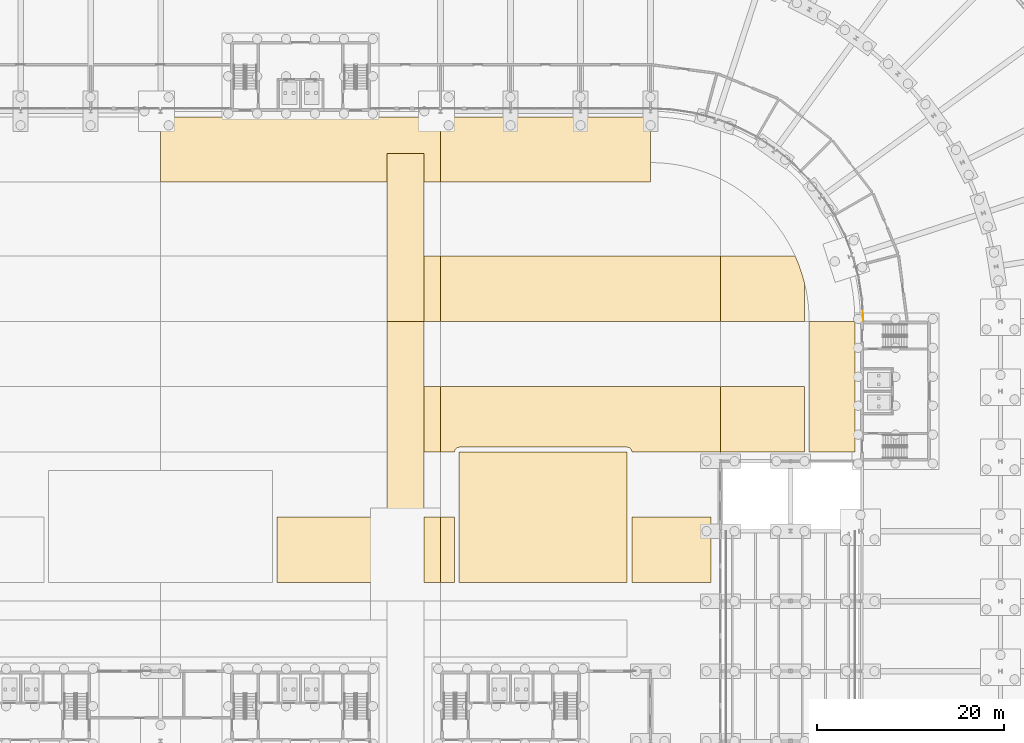
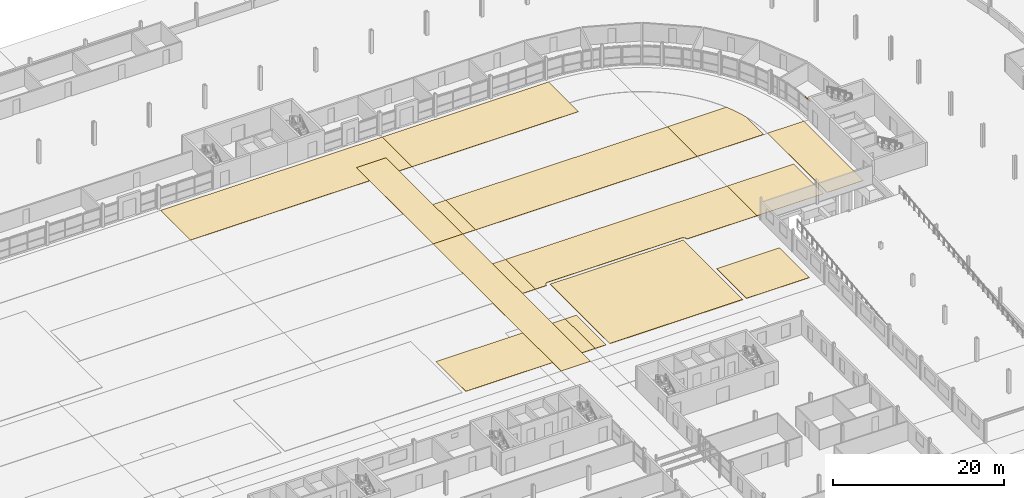
# One storey, part 121 of 130: 17 coverings.
"""IFC4 building model written with IfcOpenShell, lengths in metres."""

from ifc_helpers import new_model, si_unit, direction, frame, origin, origin_2d, place, context, subcontext, project, spatial, polyline, rectangle, outline, extrude, material, layer, layer_set, type_object, element, save


model = new_model("IFC4")

# Units and contexts
model_context = context("Model", 3, precision=1e-05, world=origin(), true_north=direction((0.0, 1.0)))
body_context = subcontext(model_context, "Body", "Model", "MODEL_VIEW")
ifc_project = project(units=[si_unit("LENGTHUNIT", "METRE"), si_unit("AREAUNIT", "SQUARE_METRE"), si_unit("VOLUMEUNIT", "CUBIC_METRE"), si_unit("PLANEANGLEUNIT", "RADIAN"), si_unit("MASSUNIT", "GRAM", prefix="KILO")], contexts=[model_context])

# Site, building, storey
site_placement = place(None, origin())
site = spatial("IfcSite", under=ifc_project, at=site_placement, CompositionType="ELEMENT")
building_placement = place(site_placement, origin())
building = spatial("IfcBuilding", under=site, at=building_placement, Name="Parallax Yard Mobility Hub", CompositionType="ELEMENT")
storey_placement = place(building_placement, origin())
storey = spatial("IfcBuildingStorey", under=building, at=storey_placement, Name="L00", CompositionType="ELEMENT", Elevation=0.0)

# Coverings
ifc_material_1 = material(Name="Insulated aluminium spandrel panel", Category="aluminium")
ifc_layer_1 = layer(ifc_material_1, 0.028076171875)
ifc_layer_set_1 = layer_set([ifc_layer_1], Name="Curtain wall spandrel closer, insulated aluminium 28")
covering_type_1 = type_object("IfcCoveringType", Name="Curtain wall spandrel closer, insulated aluminium 28", PredefinedType="CLADDING", material=ifc_layer_set_1)
covering_1_placement = place(storey_placement, frame((195.269287109375, 90.544677734375, 2.5), z_axis=(0.0, 0.0, 1.0), x_axis=(0.057337508907, -0.99835485178, 0.0)))
element("IfcCovering", 1, at=covering_1_placement, inside=storey, type_object=covering_type_1, Name="Curtain wall CW38 level L00 bay 22.3 spandrel closer 2", ObjectType="SCREEN", PredefinedType="CLADDING", context=body_context, shape_type="SweptSolid", body=[
    extrude(rectangle(XDim=1.04736328125, YDim=0.028076171875, at=origin_2d()), origin(), (0.0, 0.0, 1.0), 0.126953125),
])
ifc_material_2 = material(Name="Concrete fc' 30 MPa", Category="concrete")
ifc_layer_2 = layer(ifc_material_2, 0.0400390625)
ifc_layer_set_2 = layer_set([ifc_layer_2], Name="Footway paving, Concrete fc' 30 MPa pavers 40")
covering_type_2 = type_object("IfcCoveringType", Name="Footway paving, Concrete fc' 30 MPa pavers 40", PredefinedType="USERDEFINED", material=ifc_layer_set_2)
covering_2_placement = place(storey_placement, origin())
element("IfcCovering", 2, at=covering_2_placement, inside=storey, type_object=covering_type_2, Name="Pedestrian spine surfacing 3", ObjectType="PAVING", PredefinedType="USERDEFINED", context=body_context, shape_type="SweptSolid", body=[
    extrude(outline(polyline([(148.25, 60.0), (144.25, 60.0), (144.25, 90.0), (148.25, 90.0), (148.25, 60.0)])), origin(), (0.0, 0.0, 1.0), 0.0400390625),
])
covering_3_placement = place(storey_placement, origin())
element("IfcCovering", 3, at=covering_3_placement, inside=storey, type_object=covering_type_2, Name="Pedestrian spine surfacing 4", ObjectType="PAVING", PredefinedType="USERDEFINED", context=body_context, shape_type="SweptSolid", body=[
    extrude(outline(polyline([(148.25, 108.0), (148.25, 90.0), (144.25, 90.0), (144.25, 108.0), (148.25, 108.0)])), origin(), (0.0, 0.0, 1.0), 0.0400390625),
])
covering_4_placement = place(storey_placement, origin())
element("IfcCovering", 4, at=covering_4_placement, inside=storey, type_object=covering_type_2, Name="Yard footway north surfacing 5", ObjectType="PAVING", PredefinedType="USERDEFINED", context=body_context, shape_type="SweptSolid", body=[
    extrude(outline(polyline([(148.25, 108.0), (144.25, 108.0), (144.25, 104.89990234375), (120.0, 104.89990234375), (120.0, 111.89990234375), (127.5, 111.89990234375), (142.5, 111.89990234375), (149.875, 111.89990234375), (150.0, 111.89990234375), (150.0, 104.89990234375), (148.25, 104.89990234375), (148.25, 108.0)])), origin(), (0.0, 0.0, 1.0), 0.0400390625),
])
covering_5_placement = place(storey_placement, origin())
element("IfcCovering", 5, at=covering_5_placement, inside=storey, type_object=covering_type_2, Name="Yard footway north surfacing 6", ObjectType="PAVING", PredefinedType="USERDEFINED", context=body_context, shape_type="SweptSolid", body=[
    extrude(outline(polyline([(150.125, 111.89990234375), (157.39990234375, 111.89990234375), (157.60009765625, 111.89990234375), (164.89990234375, 111.89990234375), (165.10009765625, 111.89990234375), (172.39990234375, 111.89990234375), (172.490234375, 111.89990234375), (172.5, 111.899658203125), (172.5, 104.89990234375), (150.0, 104.89990234375), (150.0, 111.89990234375), (150.125, 111.89990234375)])), origin(), (0.0, 0.0, 1.0), 0.0400390625),
])
covering_6_placement = place(storey_placement, origin())
element("IfcCovering", 6, at=covering_6_placement, inside=storey, type_object=covering_type_2, Name="Bend footway surfacing 2", ObjectType="PAVING", PredefinedType="USERDEFINED", context=body_context, shape_type="SweptSolid", body=[
    extrude(outline(polyline([(194.39990234375, 89.990234375), (194.39990234375, 76.0), (189.5, 76.0), (189.5, 90.0), (194.399658203125, 90.0), (194.39990234375, 89.990234375)])), origin(), (0.0, 0.0, 1.0), 0.0400390625),
])
covering_7_placement = place(storey_placement, origin())
element("IfcCovering", 7, at=covering_7_placement, inside=storey, type_object=covering_type_2, Name="Yard band 1 surfacing 5", ObjectType="PAVING", PredefinedType="USERDEFINED", context=body_context, shape_type="SweptSolid", body=[
    extrude(outline(polyline([(132.5, 69.0), (144.25, 69.0), (144.25, 62.0), (132.5, 62.0), (132.5, 69.0)])), origin(), (0.0, 0.0, 1.0), 0.0400390625),
])
covering_8_placement = place(storey_placement, origin())
element("IfcCovering", 8, at=covering_8_placement, inside=storey, type_object=covering_type_2, Name="Yard band 1 surfacing 6", ObjectType="PAVING", PredefinedType="USERDEFINED", context=body_context, shape_type="SweptSolid", body=[
    extrude(outline(polyline([(148.25, 62.0), (148.25, 69.0), (150.0, 69.0), (150.0, 62.0), (148.25, 62.0)])), origin(), (0.0, 0.0, 1.0), 0.0400390625),
])
covering_9_placement = place(storey_placement, origin())
element("IfcCovering", 9, at=covering_9_placement, inside=storey, type_object=covering_type_2, Name="Yard band 1 surfacing 7", ObjectType="PAVING", PredefinedType="USERDEFINED", context=body_context, shape_type="SweptSolid", body=[
    extrude(outline(polyline([(150.0, 62.0), (150.0, 69.0), (151.5, 69.0), (151.5, 62.0), (150.0, 62.0)])), origin(), (0.0, 0.0, 1.0), 0.0400390625),
])
covering_10_placement = place(storey_placement, origin())
element("IfcCovering", 10, at=covering_10_placement, inside=storey, type_object=covering_type_2, Name="Yard band 1 surfacing 8", ObjectType="PAVING", PredefinedType="USERDEFINED", context=body_context, shape_type="SweptSolid", body=[
    extrude(outline(polyline([(170.5, 62.0), (170.5, 69.0), (179.0, 69.0), (179.0, 62.0), (170.5, 62.0)])), origin(), (0.0, 0.0, 1.0), 0.0400390625),
])
covering_11_placement = place(storey_placement, origin())
element("IfcCovering", 11, at=covering_11_placement, inside=storey, type_object=covering_type_2, Name="Yard band 2 surfacing 6", ObjectType="PAVING", PredefinedType="USERDEFINED", context=body_context, shape_type="SweptSolid", body=[
    extrude(outline(polyline([(148.25, 76.0), (148.25, 83.0), (150.0, 83.0), (150.0, 76.0), (148.25, 76.0)])), origin(), (0.0, 0.0, 1.0), 0.0400390625),
])
covering_12_placement = place(storey_placement, origin())
element("IfcCovering", 12, at=covering_12_placement, inside=storey, type_object=covering_type_2, Name="Yard band 2 surfacing 7", ObjectType="PAVING", PredefinedType="USERDEFINED", context=body_context, shape_type="SweptSolid", body=[
    extrude(outline(polyline([(170.5, 76.0), (170.49755859375, 76.049072265625), (170.490478515625, 76.097412109375), (170.478515625, 76.14501953125), (170.4619140625, 76.19140625), (170.44091796875, 76.235595703125), (170.415771484375, 76.27783203125), (170.386474609375, 76.317138671875), (170.353515625, 76.353515625), (170.317138671875, 76.386474609375), (170.27783203125, 76.415771484375), (170.235595703125, 76.44091796875), (170.19140625, 76.4619140625), (170.14501953125, 76.478515625), (170.097412109375, 76.490478515625), (170.049072265625, 76.49755859375), (170.0, 76.5), (152.0, 76.5), (151.950927734375, 76.49755859375), (151.902587890625, 76.490478515625), (151.85498046875, 76.478515625), (151.80859375, 76.4619140625), (151.764404296875, 76.44091796875), (151.72216796875, 76.415771484375), (151.682861328125, 76.386474609375), (151.646484375, 76.353515625), (151.613525390625, 76.317138671875), (151.584228515625, 76.27783203125), (151.55908203125, 76.235595703125), (151.5380859375, 76.19140625), (151.521484375, 76.14501953125), (151.509521484375, 76.097412109375), (151.50244140625, 76.049072265625), (151.5, 76.0), (150.0, 76.0), (150.0, 83.0), (180.0, 83.0), (180.0, 76.0), (170.5, 76.0)])), origin(), (0.0, 0.0, 1.0), 0.0400390625),
])
covering_13_placement = place(storey_placement, origin())
element("IfcCovering", 13, at=covering_13_placement, inside=storey, type_object=covering_type_2, Name="Yard band 2 surfacing 8", ObjectType="PAVING", PredefinedType="USERDEFINED", context=body_context, shape_type="SweptSolid", body=[
    extrude(outline(polyline([(189.0, 76.0), (180.0, 76.0), (180.0, 83.0), (189.0, 83.0), (189.0, 76.0)])), origin(), (0.0, 0.0, 1.0), 0.0400390625),
])
covering_14_placement = place(storey_placement, origin())
element("IfcCovering", 14, at=covering_14_placement, inside=storey, type_object=covering_type_2, Name="Yard band 3 surfacing 6", ObjectType="PAVING", PredefinedType="USERDEFINED", context=body_context, shape_type="SweptSolid", body=[
    extrude(outline(polyline([(148.25, 90.0), (148.25, 97.0), (150.0, 97.0), (150.0, 90.0), (148.25, 90.0)])), origin(), (0.0, 0.0, 1.0), 0.0400390625),
])
covering_15_placement = place(storey_placement, origin())
element("IfcCovering", 15, at=covering_15_placement, inside=storey, type_object=covering_type_2, Name="Yard band 3 surfacing 7", ObjectType="PAVING", PredefinedType="USERDEFINED", context=body_context, shape_type="SweptSolid", body=[
    extrude(outline(polyline([(150.0, 90.0), (150.0, 97.0), (180.0, 97.0), (180.0, 90.0), (150.0, 90.0)])), origin(), (0.0, 0.0, 1.0), 0.0400390625),
])
covering_16_placement = place(storey_placement, origin())
element("IfcCovering", 16, at=covering_16_placement, inside=storey, type_object=covering_type_2, Name="Yard band 3 surfacing 8", ObjectType="PAVING", PredefinedType="USERDEFINED", context=body_context, shape_type="SweptSolid", body=[
    extrude(outline(polyline([(180.0, 90.0), (180.0, 97.0), (187.989501953125, 97.0), (188.0302734375, 96.91455078125), (188.370849609375, 96.09228515625), (188.66796875, 95.25341796875), (188.920654296875, 94.39990234375), (189.0, 94.06982421875), (189.0, 90.0), (180.0, 90.0)])), origin(), (0.0, 0.0, 1.0), 0.0400390625),
])
ifc_material_3 = material(Name="Planting soil and mulch")
ifc_layer_3 = layer(ifc_material_3, 0.06005859375)
ifc_layer_set_3 = layer_set([ifc_layer_3], Name="Planting bed surfacing, Planting soil and mulch 60")
covering_type_3 = type_object("IfcCoveringType", Name="Planting bed surfacing, Planting soil and mulch 60", PredefinedType="USERDEFINED", material=ifc_layer_set_3)
covering_17_placement = place(storey_placement, origin())
element("IfcCovering", 17, at=covering_17_placement, inside=storey, type_object=covering_type_3, Name="Planting bed 04 surfacing", ObjectType="PAVING", PredefinedType="USERDEFINED", context=body_context, shape_type="SweptSolid", body=[
    extrude(outline(polyline([(152.0, 62.0), (170.0, 62.0), (170.0, 76.0), (152.0, 76.0), (152.0, 62.0)])), origin(), (0.0, 0.0, 1.0), 0.06005859375),
])

save(model, "model.ifc")
